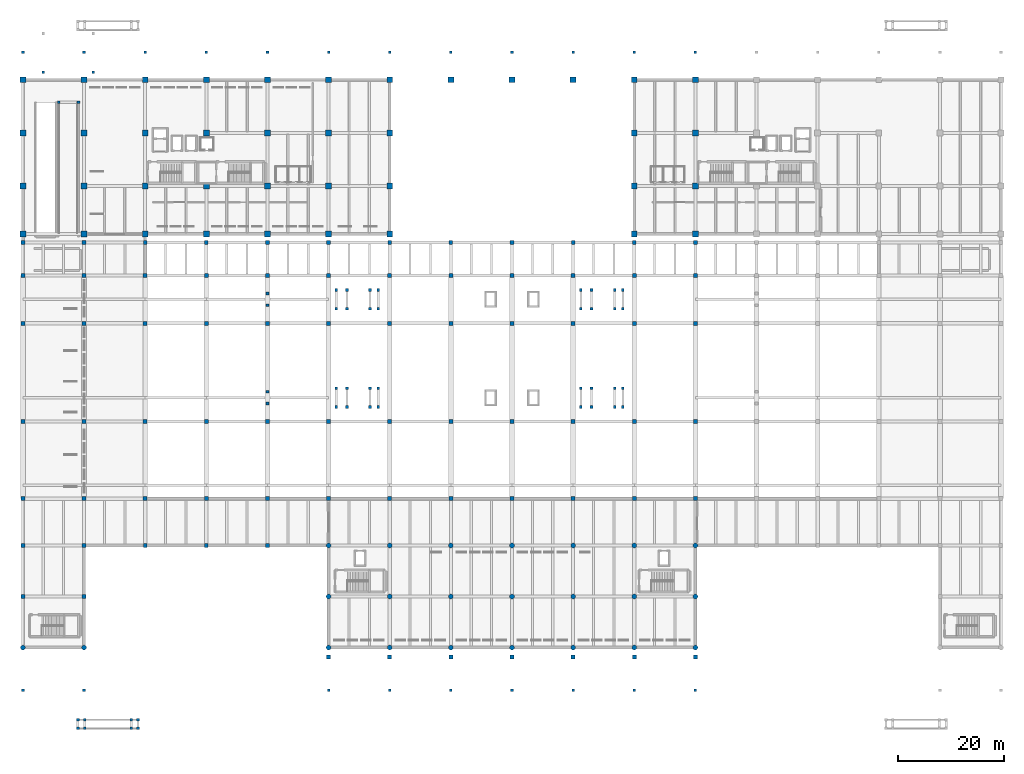
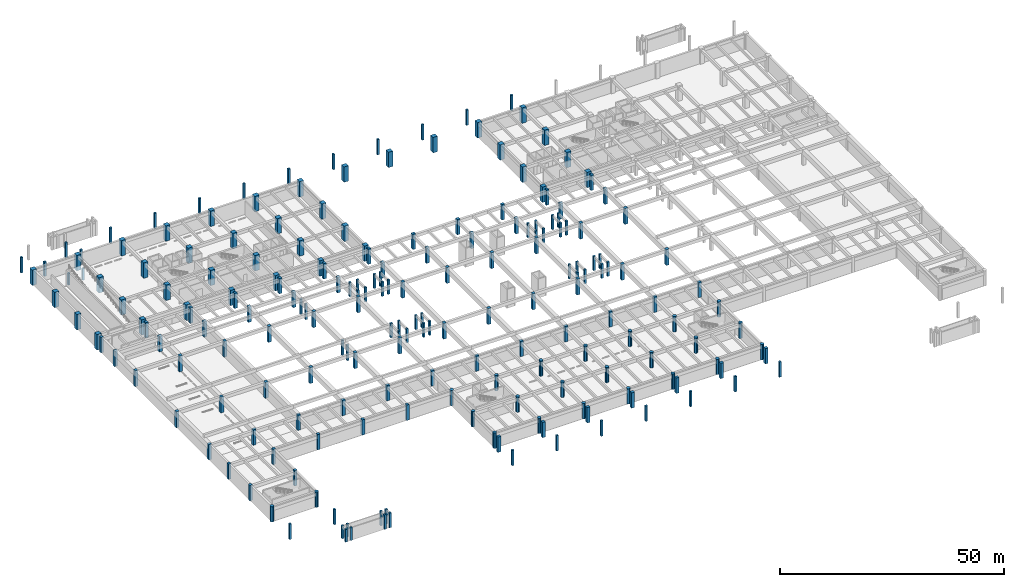
# One storey, part 1 of 20: 205 columns.
"""IFC4 building model written with IfcOpenShell, lengths in metres."""

from ifc_helpers import new_model, si_unit, direction, frame, origin, origin_2d, place, context, subcontext, project, spatial, rectangle, circle, extrude, material, material_profile, profile_set, type_object, element, save


model = new_model("IFC4")

# Units and contexts
model_context = context("Model", 3, precision=1e-05, world=origin(), true_north=direction((0.0, 1.0)))
body_context = subcontext(model_context, "Body", "Model", "MODEL_VIEW")
ifc_project = project(units=[si_unit("LENGTHUNIT", "METRE"), si_unit("AREAUNIT", "SQUARE_METRE"), si_unit("VOLUMEUNIT", "CUBIC_METRE"), si_unit("PLANEANGLEUNIT", "RADIAN"), si_unit("MASSUNIT", "GRAM", prefix="KILO")], contexts=[model_context])

# Site, building, storey
site_placement = place(None, origin())
site = spatial("IfcSite", under=ifc_project, at=site_placement, CompositionType="ELEMENT")
building_placement = place(site_placement, origin())
building = spatial("IfcBuilding", under=site, at=building_placement, Name="Ologun Quay Terminus", CompositionType="ELEMENT")
storey_placement = place(building_placement, frame((0.0, 0.0, -4.199951171875)))
storey = spatial("IfcBuildingStorey", under=building, at=storey_placement, Name="B01", CompositionType="ELEMENT", Elevation=-4.199951171875)

# Columns
ifc_material_1 = material(Name="Concrete C40/50", Category="concrete")
ifc_material_profile_1 = material_profile(ifc_material_1, rectangle(XDim=0.5, YDim=0.5, at=origin_2d()), Name="RC 500x500")
ifc_profile_set_1 = profile_set([ifc_material_profile_1], Name="Concrete C40/50")
column_type_1 = type_object("IfcColumnType", Name="Canopy Edge Column 500x500", PredefinedType="COLUMN", material=ifc_profile_set_1)
for number, where, z_axis, x_axis, name in (
    (1, (0.0, 0.0, 0.0), (0.0, 0.0, 1.0), (1.0, 0.0, 0.0), "C8 Column 1/A B01"),
    (2, (0.0, 120.0, 0.0), (0.0, 0.0, 1.0), (1.0, 0.0, 0.0), "C8 Column 1/L B01"),
    (3, (11.5, 0.0, 0.0), (0.0, 0.0, 1.0), (1.0, 0.0, 0.0), "C8 Column 2/A B01"),
    (4, (11.5, 120.0, 0.0), (0.0, 0.0, 1.0), (1.0, 0.0, 0.0), "C8 Column 2/L B01"),
    (5, (23.0, 120.0, 0.0), (0.0, 0.0, 1.0), (1.0, 0.0, 0.0), "C8 Column 3/L B01"),
    (6, (34.5, 120.0, 0.0), (0.0, 0.0, 1.0), (1.0, 0.0, 0.0), "C8 Column 4/L B01"),
    (7, (46.0, 120.0, 0.0), (0.0, 0.0, 1.0), (1.0, 0.0, 0.0), "C8 Column 5/L B01"),
    (8, (57.5, 0.0, 0.0), (0.0, 0.0, 1.0), (1.0, 0.0, 0.0), "C8 Column 6/A B01"),
    (9, (57.5, 120.0, 0.0), (0.0, 0.0, 1.0), (1.0, 0.0, 0.0), "C8 Column 6/L B01"),
    (10, (69.0, 0.0, 0.0), (0.0, 0.0, 1.0), (1.0, 0.0, 0.0), "C8 Column 7/A B01"),
    (11, (69.0, 120.0, 0.0), (0.0, 0.0, 1.0), (1.0, 0.0, 0.0), "C8 Column 7/L B01"),
    (12, (80.5, 0.0, 0.0), (0.0, 0.0, 1.0), (1.0, 0.0, 0.0), "C8 Column 8/A B01"),
    (13, (80.5, 120.0, 0.0), (0.0, 0.0, 1.0), (1.0, 0.0, 0.0), "C8 Column 8/L B01"),
    (14, (92.0, 0.0, 0.0), (0.0, 0.0, 1.0), (1.0, 0.0, 0.0), "C8 Column 9/A B01"),
    (15, (92.0, 120.0, 0.0), (0.0, 0.0, 1.0), (1.0, 0.0, 0.0), "C8 Column 9/L B01"),
    (16, (103.5, 0.0, 0.0), (0.0, 0.0, 1.0), (1.0, 0.0, 0.0), "C8 Column 10/A B01"),
    (17, (103.5, 120.0, 0.0), (0.0, 0.0, 1.0), (1.0, 0.0, 0.0), "C8 Column 10/L B01"),
    (18, (115.0, 0.0, 0.0), (0.0, 0.0, 1.0), (1.0, 0.0, 0.0), "C8 Column 11/A B01"),
    (19, (115.0, 120.0, 0.0), (0.0, 0.0, 1.0), (1.0, 0.0, 0.0), "C8 Column 11/L B01"),
    (20, (126.5, 0.0, 0.0), (0.0, 0.0, 1.0), (1.0, 0.0, 0.0), "C8 Column 12/A B01"),
    (21, (126.5, 120.0, 0.0), (0.0, 0.0, 1.0), (1.0, 0.0, 0.0), "C8 Column 12/L B01"),
):
    element("IfcColumn", number, at=place(storey_placement, frame(where, z_axis=z_axis, x_axis=x_axis)), inside=storey, type_object=column_type_1, Name=name, PredefinedType="COLUMN", context=body_context, shape_type="SweptSolid", body=[
        extrude(rectangle(XDim=0.5, YDim=0.5, at=origin_2d()), origin(), (0.0, 0.0, 1.0), 4.199951171875),
    ])
for number, where, z_axis, x_axis, name in (
    (22, (10.35009765625, -7.199951171875, 0.0), (0.0, 0.0, 1.0), (1.0, 0.0, 0.0), "C8 Ramp Landing Column 5WS B01"),
    (23, (10.35009765625, -5.60009765625, 0.0), (0.0, 0.0, 1.0), (1.0, 0.0, 0.0), "C8 Ramp Landing Column 5WN B01"),
    (24, (11.64990234375, -7.199951171875, 0.0), (0.0, 0.0, 1.0), (1.0, 0.0, 0.0), "C8 Ramp Landing Column 5ES B01"),
    (25, (11.64990234375, -5.60009765625, 0.0), (0.0, 0.0, 1.0), (1.0, 0.0, 0.0), "C8 Ramp Landing Column 5EN B01"),
):
    element("IfcColumn", number, at=place(storey_placement, frame(where, z_axis=z_axis, x_axis=x_axis)), inside=storey, type_object=column_type_1, Name=name, PredefinedType="COLUMN", context=body_context, shape_type="SweptSolid", body=[
        extrude(rectangle(XDim=0.5, YDim=0.5, at=origin_2d()), origin(), (0.0, 0.0, 1.0), 3.47998046875),
    ])
for number, where, z_axis, x_axis, name in (
    (26, (20.35009765625, -7.199951171875, 0.0), (0.0, 0.0, 1.0), (1.0, 0.0, 0.0), "C8 Ramp Landing Column 6WS B01"),
    (27, (20.35009765625, -5.60009765625, 0.0), (0.0, 0.0, 1.0), (1.0, 0.0, 0.0), "C8 Ramp Landing Column 6WN B01"),
    (28, (21.64990234375, -7.199951171875, 0.0), (0.0, 0.0, 1.0), (1.0, 0.0, 0.0), "C8 Ramp Landing Column 6ES B01"),
    (29, (21.64990234375, -5.60009765625, 0.0), (0.0, 0.0, 1.0), (1.0, 0.0, 0.0), "C8 Ramp Landing Column 6EN B01"),
):
    element("IfcColumn", number, at=place(storey_placement, frame(where, z_axis=z_axis, x_axis=x_axis)), inside=storey, type_object=column_type_1, Name=name, PredefinedType="COLUMN", context=body_context, shape_type="SweptSolid", body=[
        extrude(rectangle(XDim=0.5, YDim=0.5, at=origin_2d()), origin(), (0.0, 0.0, 1.0), 3.97998046875),
    ])
for number, where, z_axis, x_axis, name in (
    (30, (3.800048828125, 116.199951171875, 0.0), (0.0, 0.0, 1.0), (1.0, 0.0, 0.0), "C8 Driveway Apron Column 11 B01"),
    (31, (13.199951171875, 116.199951171875, 0.0), (0.0, 0.0, 1.0), (1.0, 0.0, 0.0), "C8 Driveway Apron Column 21 B01"),
):
    element("IfcColumn", number, at=place(storey_placement, frame(where, z_axis=z_axis, x_axis=x_axis)), inside=storey, type_object=column_type_1, Name=name, PredefinedType="COLUMN", context=body_context, shape_type="SweptSolid", body=[
        extrude(rectangle(XDim=0.5, YDim=0.5, at=origin_2d()), origin(), (0.0, 0.0, 1.0), 3.93994140625),
    ])
for number, where, z_axis, x_axis, name in (
    (32, (6.75, 110.60009765625, 0.0), (0.0, 0.0, 1.0), (1.0, 0.0, 0.0), "C8 Ramp Header Upper Column 1"),
    (33, (10.449951171875, 110.60009765625, 0.0), (0.0, 0.0, 1.0), (1.0, 0.0, 0.0), "C8 Ramp Header Upper Column 2"),
):
    element("IfcColumn", number, at=place(storey_placement, frame(where, z_axis=z_axis, x_axis=x_axis)), inside=storey, type_object=column_type_1, Name=name, PredefinedType="COLUMN", context=body_context, shape_type="SweptSolid", body=[
        extrude(rectangle(XDim=0.5, YDim=0.5, at=origin_2d()), origin(), (0.0, 0.0, 1.0), 3.179931640625),
    ])
for number, where, z_axis, x_axis, name in (
    (34, (58.949951171875, 53.25, 0.0), (0.0, 0.0, 1.0), (1.0, 0.0, 0.0), "C8 Platform Stair Substructure Column ST-P1-LS B01"),
    (35, (58.949951171875, 56.75, 0.0), (0.0, 0.0, 1.0), (1.0, 0.0, 0.0), "C8 Platform Stair Substructure Column ST-P1-LN B01"),
    (36, (60.949951171875, 53.25, 0.0), (0.0, 0.0, 1.0), (1.0, 0.0, 0.0), "C8 Platform Stair Substructure Column ST-P1-AS B01"),
    (37, (60.949951171875, 56.75, 0.0), (0.0, 0.0, 1.0), (1.0, 0.0, 0.0), "C8 Platform Stair Substructure Column ST-P1-AN B01"),
    (38, (65.300048828125, 53.25, 0.0), (0.0, 0.0, 1.0), (1.0, 0.0, 0.0), "C8 Platform Stair Substructure Column ST-P1-BS B01"),
    (39, (65.300048828125, 56.75, 0.0), (0.0, 0.0, 1.0), (1.0, 0.0, 0.0), "C8 Platform Stair Substructure Column ST-P1-BN B01"),
    (40, (66.85009765625, 53.25, 0.0), (0.0, 0.0, 1.0), (1.0, 0.0, 0.0), "C8 Platform Stair Substructure Column ST-P1-CS B01"),
    (41, (66.85009765625, 56.75, 0.0), (0.0, 0.0, 1.0), (1.0, 0.0, 0.0), "C8 Platform Stair Substructure Column ST-P1-CN B01"),
    (42, (104.949951171875, 53.25, 0.0), (0.0, 0.0, 1.0), (1.0, 0.0, 0.0), "C8 Platform Stair Substructure Column ST-P2-LS B01"),
    (43, (104.949951171875, 56.75, 0.0), (0.0, 0.0, 1.0), (1.0, 0.0, 0.0), "C8 Platform Stair Substructure Column ST-P2-LN B01"),
    (44, (106.949951171875, 53.25, 0.0), (0.0, 0.0, 1.0), (1.0, 0.0, 0.0), "C8 Platform Stair Substructure Column ST-P2-AS B01"),
    (45, (106.949951171875, 56.75, 0.0), (0.0, 0.0, 1.0), (1.0, 0.0, 0.0), "C8 Platform Stair Substructure Column ST-P2-AN B01"),
    (46, (111.300048828125, 53.25, 0.0), (0.0, 0.0, 1.0), (1.0, 0.0, 0.0), "C8 Platform Stair Substructure Column ST-P2-BS B01"),
    (47, (111.300048828125, 56.75, 0.0), (0.0, 0.0, 1.0), (1.0, 0.0, 0.0), "C8 Platform Stair Substructure Column ST-P2-BN B01"),
    (48, (112.85009765625, 53.25, 0.0), (0.0, 0.0, 1.0), (1.0, 0.0, 0.0), "C8 Platform Stair Substructure Column ST-P2-CS B01"),
    (49, (112.85009765625, 56.75, 0.0), (0.0, 0.0, 1.0), (1.0, 0.0, 0.0), "C8 Platform Stair Substructure Column ST-P2-CN B01"),
    (50, (58.949951171875, 71.75, 0.0), (0.0, 0.0, 1.0), (1.0, 0.0, 0.0), "C8 Platform Stair Substructure Column ST-P3-LS B01"),
    (51, (58.949951171875, 75.25, 0.0), (0.0, 0.0, 1.0), (1.0, 0.0, 0.0), "C8 Platform Stair Substructure Column ST-P3-LN B01"),
    (52, (60.949951171875, 71.75, 0.0), (0.0, 0.0, 1.0), (1.0, 0.0, 0.0), "C8 Platform Stair Substructure Column ST-P3-AS B01"),
    (53, (60.949951171875, 75.25, 0.0), (0.0, 0.0, 1.0), (1.0, 0.0, 0.0), "C8 Platform Stair Substructure Column ST-P3-AN B01"),
    (54, (65.300048828125, 71.75, 0.0), (0.0, 0.0, 1.0), (1.0, 0.0, 0.0), "C8 Platform Stair Substructure Column ST-P3-BS B01"),
    (55, (65.300048828125, 75.25, 0.0), (0.0, 0.0, 1.0), (1.0, 0.0, 0.0), "C8 Platform Stair Substructure Column ST-P3-BN B01"),
    (56, (66.85009765625, 71.75, 0.0), (0.0, 0.0, 1.0), (1.0, 0.0, 0.0), "C8 Platform Stair Substructure Column ST-P3-CS B01"),
    (57, (66.85009765625, 75.25, 0.0), (0.0, 0.0, 1.0), (1.0, 0.0, 0.0), "C8 Platform Stair Substructure Column ST-P3-CN B01"),
    (58, (104.949951171875, 71.75, 0.0), (0.0, 0.0, 1.0), (1.0, 0.0, 0.0), "C8 Platform Stair Substructure Column ST-P4-LS B01"),
    (59, (104.949951171875, 75.25, 0.0), (0.0, 0.0, 1.0), (1.0, 0.0, 0.0), "C8 Platform Stair Substructure Column ST-P4-LN B01"),
    (60, (106.949951171875, 71.75, 0.0), (0.0, 0.0, 1.0), (1.0, 0.0, 0.0), "C8 Platform Stair Substructure Column ST-P4-AS B01"),
    (61, (106.949951171875, 75.25, 0.0), (0.0, 0.0, 1.0), (1.0, 0.0, 0.0), "C8 Platform Stair Substructure Column ST-P4-AN B01"),
    (62, (111.300048828125, 71.75, 0.0), (0.0, 0.0, 1.0), (1.0, 0.0, 0.0), "C8 Platform Stair Substructure Column ST-P4-BS B01"),
    (63, (111.300048828125, 75.25, 0.0), (0.0, 0.0, 1.0), (1.0, 0.0, 0.0), "C8 Platform Stair Substructure Column ST-P4-BN B01"),
    (64, (112.85009765625, 71.75, 0.0), (0.0, 0.0, 1.0), (1.0, 0.0, 0.0), "C8 Platform Stair Substructure Column ST-P4-CS B01"),
    (65, (112.85009765625, 75.25, 0.0), (0.0, 0.0, 1.0), (1.0, 0.0, 0.0), "C8 Platform Stair Substructure Column ST-P4-CN B01"),
):
    element("IfcColumn", number, at=place(storey_placement, frame(where, z_axis=z_axis, x_axis=x_axis)), inside=storey, type_object=column_type_1, Name=name, PredefinedType="COLUMN", context=body_context, shape_type="SweptSolid", body=[
        extrude(rectangle(XDim=0.5, YDim=0.5, at=origin_2d()), origin(), (0.0, 0.0, 1.0), 3.8798828125),
    ])
for number, where, z_axis, x_axis, name in (
    (66, (46.0, 53.89990234375, 0.0), (0.0, 0.0, 1.0), (1.0, 0.0, 0.0), "C8 Concourse Trimmer Column 5-1 B01"),
    (67, (46.0, 56.10009765625, 0.0), (0.0, 0.0, 1.0), (1.0, 0.0, 0.0), "C8 Concourse Trimmer Column 5-2 B01"),
    (68, (46.0, 72.39990234375, 0.0), (0.0, 0.0, 1.0), (1.0, 0.0, 0.0), "C8 Concourse Trimmer Column 5-3 B01"),
    (69, (46.0, 74.60009765625, 0.0), (0.0, 0.0, 1.0), (1.0, 0.0, 0.0), "C8 Concourse Trimmer Column 5-4 B01"),
):
    element("IfcColumn", number, at=place(storey_placement, frame(where, z_axis=z_axis, x_axis=x_axis)), inside=storey, type_object=column_type_1, Name=name, PredefinedType="COLUMN", context=body_context, shape_type="SweptSolid", body=[
        extrude(rectangle(XDim=0.5, YDim=0.5, at=origin_2d()), origin(), (0.0, 0.0, 1.0), 4.199951171875),
    ])
ifc_material_2 = material(Name="Concrete C45/55", Category="concrete")
ifc_material_profile_2 = material_profile(ifc_material_2, rectangle(XDim=1.10009765625, YDim=1.10009765625, at=origin_2d()), Name="RC 1100x1100")
ifc_profile_set_2 = profile_set([ifc_material_profile_2], Name="Concrete C45/55")
column_type_2 = type_object("IfcColumnType", Name="Courtyard Wing Lower Column 1100x1100", PredefinedType="COLUMN", material=ifc_profile_set_2)
for number, where, z_axis, x_axis, name in (
    (70, (0.0, 85.800048828125, 0.0), (0.0, 0.0, 1.0), (1.0, 0.0, 0.0), "C1 Column 1/G2 B01"),
    (71, (0.0, 94.800048828125, 0.0), (0.0, 0.0, 1.0), (1.0, 0.0, 0.0), "C1 Column 1/H B01"),
    (72, (0.0, 104.800048828125, 0.0), (0.0, 0.0, 1.0), (1.0, 0.0, 0.0), "C1 Column 1/J B01"),
    (73, (0.0, 114.800048828125, 0.0), (0.0, 0.0, 1.0), (1.0, 0.0, 0.0), "C1 Column 1/K B01"),
    (74, (11.5, 85.800048828125, 0.0), (0.0, 0.0, 1.0), (1.0, 0.0, 0.0), "C1 Column 2/G2 B01"),
    (75, (11.5, 94.800048828125, 0.0), (0.0, 0.0, 1.0), (1.0, 0.0, 0.0), "C1 Column 2/H B01"),
    (76, (11.5, 104.800048828125, 0.0), (0.0, 0.0, 1.0), (1.0, 0.0, 0.0), "C1 Column 2/J B01"),
    (77, (11.5, 114.800048828125, 0.0), (0.0, 0.0, 1.0), (1.0, 0.0, 0.0), "C1 Column 2/K B01"),
    (78, (23.0, 85.800048828125, 0.0), (0.0, 0.0, 1.0), (1.0, 0.0, 0.0), "C1 Column 3/G2 B01"),
    (79, (23.0, 94.800048828125, 0.0), (0.0, 0.0, 1.0), (1.0, 0.0, 0.0), "C1 Column 3/H B01"),
    (80, (23.0, 104.800048828125, 0.0), (0.0, 0.0, 1.0), (1.0, 0.0, 0.0), "C1 Column 3/J B01"),
    (81, (23.0, 114.800048828125, 0.0), (0.0, 0.0, 1.0), (1.0, 0.0, 0.0), "C1 Column 3/K B01"),
    (82, (34.5, 85.800048828125, 0.0), (0.0, 0.0, 1.0), (1.0, 0.0, 0.0), "C1 Column 4/G2 B01"),
    (83, (34.5, 94.800048828125, 0.0), (0.0, 0.0, 1.0), (1.0, 0.0, 0.0), "C1 Column 4/H B01"),
    (84, (34.5, 104.800048828125, 0.0), (0.0, 0.0, 1.0), (1.0, 0.0, 0.0), "C1 Column 4/J B01"),
    (85, (34.5, 114.800048828125, 0.0), (0.0, 0.0, 1.0), (1.0, 0.0, 0.0), "C1 Column 4/K B01"),
    (86, (46.0, 85.800048828125, 0.0), (0.0, 0.0, 1.0), (1.0, 0.0, 0.0), "C1 Column 5/G2 B01"),
    (87, (46.0, 94.800048828125, 0.0), (0.0, 0.0, 1.0), (1.0, 0.0, 0.0), "C1 Column 5/H B01"),
    (88, (46.0, 104.800048828125, 0.0), (0.0, 0.0, 1.0), (1.0, 0.0, 0.0), "C1 Column 5/J B01"),
    (89, (46.0, 114.800048828125, 0.0), (0.0, 0.0, 1.0), (1.0, 0.0, 0.0), "C1 Column 5/K B01"),
    (90, (57.5, 85.800048828125, 0.0), (0.0, 0.0, 1.0), (1.0, 0.0, 0.0), "C1 Column 6/G2 B01"),
    (91, (57.5, 94.800048828125, 0.0), (0.0, 0.0, 1.0), (1.0, 0.0, 0.0), "C1 Column 6/H B01"),
    (92, (57.5, 104.800048828125, 0.0), (0.0, 0.0, 1.0), (1.0, 0.0, 0.0), "C1 Column 6/J B01"),
    (93, (57.5, 114.800048828125, 0.0), (0.0, 0.0, 1.0), (1.0, 0.0, 0.0), "C1 Column 6/K B01"),
    (94, (69.0, 85.800048828125, 0.0), (0.0, 0.0, 1.0), (1.0, 0.0, 0.0), "C1 Column 7/G2 B01"),
    (95, (69.0, 94.800048828125, 0.0), (0.0, 0.0, 1.0), (1.0, 0.0, 0.0), "C1 Column 7/H B01"),
    (96, (69.0, 104.800048828125, 0.0), (0.0, 0.0, 1.0), (1.0, 0.0, 0.0), "C1 Column 7/J B01"),
    (97, (69.0, 114.800048828125, 0.0), (0.0, 0.0, 1.0), (1.0, 0.0, 0.0), "C1 Column 7/K B01"),
    (98, (115.0, 85.800048828125, 0.0), (0.0, 0.0, 1.0), (1.0, 0.0, 0.0), "C1 Column 11/G2 B01"),
    (99, (115.0, 94.800048828125, 0.0), (0.0, 0.0, 1.0), (1.0, 0.0, 0.0), "C1 Column 11/H B01"),
    (100, (115.0, 104.800048828125, 0.0), (0.0, 0.0, 1.0), (1.0, 0.0, 0.0), "C1 Column 11/J B01"),
    (101, (115.0, 114.800048828125, 0.0), (0.0, 0.0, 1.0), (1.0, 0.0, 0.0), "C1 Column 11/K B01"),
    (102, (126.5, 85.800048828125, 0.0), (0.0, 0.0, 1.0), (1.0, 0.0, 0.0), "C1 Column 12/G2 B01"),
    (103, (126.5, 94.800048828125, 0.0), (0.0, 0.0, 1.0), (1.0, 0.0, 0.0), "C1 Column 12/H B01"),
    (104, (126.5, 104.800048828125, 0.0), (0.0, 0.0, 1.0), (1.0, 0.0, 0.0), "C1 Column 12/J B01"),
    (105, (126.5, 114.800048828125, 0.0), (0.0, 0.0, 1.0), (1.0, 0.0, 0.0), "C1 Column 12/K B01"),
    (106, (80.5, 114.800048828125, 0.0), (0.0, 0.0, 1.0), (1.0, 0.0, 0.0), "C1 Colonnade Substructure Column 8/K B01"),
    (107, (92.0, 114.800048828125, 0.0), (0.0, 0.0, 1.0), (1.0, 0.0, 0.0), "C1 Colonnade Substructure Column 9/K B01"),
    (108, (103.5, 114.800048828125, 0.0), (0.0, 0.0, 1.0), (1.0, 0.0, 0.0), "C1 Colonnade Substructure Column 10/K B01"),
):
    element("IfcColumn", number, at=place(storey_placement, frame(where, z_axis=z_axis, x_axis=x_axis)), inside=storey, type_object=column_type_2, Name=name, PredefinedType="COLUMN", context=body_context, shape_type="SweptSolid", body=[
        extrude(rectangle(XDim=1.10009765625, YDim=1.10009765625, at=origin_2d()), origin(), (0.0, 0.0, 1.0), 4.199951171875),
    ])
ifc_material_3 = material(Name="Concrete C45/55", Category="concrete")
ifc_material_profile_3 = material_profile(ifc_material_3, rectangle(XDim=0.75, YDim=0.75, at=origin_2d()), Name="RC 750x750")
ifc_profile_set_3 = profile_set([ifc_material_profile_3], Name="Concrete C45/55")
column_type_3 = type_object("IfcColumnType", Name="Station Arch Pier Stem 750x750", PredefinedType="COLUMN", material=ifc_profile_set_3)
for number, where, z_axis, x_axis, name in (
    (109, (0.0, 36.0, 0.0), (0.0, 0.0, 1.0), (1.0, 0.0, 0.0), "C5 Column 1/E B01"),
    (110, (0.0, 78.0, 0.0), (0.0, 0.0, 1.0), (1.0, 0.0, 0.0), "C5 Column 1/F B01"),
    (111, (11.5, 36.0, 0.0), (0.0, 0.0, 1.0), (1.0, 0.0, 0.0), "C5 Column 2/E B01"),
    (112, (11.5, 78.0, 0.0), (0.0, 0.0, 1.0), (1.0, 0.0, 0.0), "C5 Column 2/F B01"),
    (113, (23.0, 36.0, 0.0), (0.0, 0.0, 1.0), (1.0, 0.0, 0.0), "C5 Column 3/E B01"),
    (114, (23.0, 78.0, 0.0), (0.0, 0.0, 1.0), (1.0, 0.0, 0.0), "C5 Column 3/F B01"),
    (115, (34.5, 36.0, 0.0), (0.0, 0.0, 1.0), (1.0, 0.0, 0.0), "C5 Column 4/E B01"),
    (116, (34.5, 78.0, 0.0), (0.0, 0.0, 1.0), (1.0, 0.0, 0.0), "C5 Column 4/F B01"),
    (117, (46.0, 36.0, 0.0), (0.0, 0.0, 1.0), (1.0, 0.0, 0.0), "C5 Column 5/E B01"),
    (118, (46.0, 78.0, 0.0), (0.0, 0.0, 1.0), (1.0, 0.0, 0.0), "C5 Column 5/F B01"),
    (119, (57.5, 36.0, 0.0), (0.0, 0.0, 1.0), (1.0, 0.0, 0.0), "C5 Column 6/E B01"),
    (120, (57.5, 78.0, 0.0), (0.0, 0.0, 1.0), (1.0, 0.0, 0.0), "C5 Column 6/F B01"),
    (121, (69.0, 36.0, 0.0), (0.0, 0.0, 1.0), (1.0, 0.0, 0.0), "C5 Column 7/E B01"),
    (122, (69.0, 78.0, 0.0), (0.0, 0.0, 1.0), (1.0, 0.0, 0.0), "C5 Column 7/F B01"),
    (123, (80.5, 36.0, 0.0), (0.0, 0.0, 1.0), (1.0, 0.0, 0.0), "C5 Column 8/E B01"),
    (124, (80.5, 78.0, 0.0), (0.0, 0.0, 1.0), (1.0, 0.0, 0.0), "C5 Column 8/F B01"),
    (125, (92.0, 36.0, 0.0), (0.0, 0.0, 1.0), (1.0, 0.0, 0.0), "C5 Column 9/E B01"),
    (126, (92.0, 78.0, 0.0), (0.0, 0.0, 1.0), (1.0, 0.0, 0.0), "C5 Column 9/F B01"),
    (127, (103.5, 36.0, 0.0), (0.0, 0.0, 1.0), (1.0, 0.0, 0.0), "C5 Column 10/E B01"),
    (128, (103.5, 78.0, 0.0), (0.0, 0.0, 1.0), (1.0, 0.0, 0.0), "C5 Column 10/F B01"),
    (129, (115.0, 36.0, 0.0), (0.0, 0.0, 1.0), (1.0, 0.0, 0.0), "C5 Column 11/E B01"),
    (130, (115.0, 78.0, 0.0), (0.0, 0.0, 1.0), (1.0, 0.0, 0.0), "C5 Column 11/F B01"),
    (131, (126.5, 36.0, 0.0), (0.0, 0.0, 1.0), (1.0, 0.0, 0.0), "C5 Column 12/E B01"),
    (132, (126.5, 78.0, 0.0), (0.0, 0.0, 1.0), (1.0, 0.0, 0.0), "C5 Column 12/F B01"),
):
    element("IfcColumn", number, at=place(storey_placement, frame(where, z_axis=z_axis, x_axis=x_axis)), inside=storey, type_object=column_type_3, Name=name, PredefinedType="COLUMN", context=body_context, shape_type="SweptSolid", body=[
        extrude(rectangle(XDim=0.75, YDim=0.75, at=origin_2d()), origin(), (0.0, 0.0, 1.0), 4.199951171875),
    ])
for number, where, z_axis, x_axis, name in (
    (133, (0.0, 50.5, 0.0), (0.0, 0.0, 1.0), (1.0, 0.0, 0.0), "C5 Track Substructure Column 1-Y50 B01"),
    (134, (0.0, 69.0, 0.0), (0.0, 0.0, 1.0), (1.0, 0.0, 0.0), "C5 Track Substructure Column 1-Y69 B01"),
    (135, (11.5, 50.5, 0.0), (0.0, 0.0, 1.0), (1.0, 0.0, 0.0), "C5 Track Substructure Column 2-Y50 B01"),
    (136, (11.5, 69.0, 0.0), (0.0, 0.0, 1.0), (1.0, 0.0, 0.0), "C5 Track Substructure Column 2-Y69 B01"),
    (137, (23.0, 50.5, 0.0), (0.0, 0.0, 1.0), (1.0, 0.0, 0.0), "C5 Track Substructure Column 3-Y50 B01"),
    (138, (23.0, 69.0, 0.0), (0.0, 0.0, 1.0), (1.0, 0.0, 0.0), "C5 Track Substructure Column 3-Y69 B01"),
    (139, (34.5, 50.5, 0.0), (0.0, 0.0, 1.0), (1.0, 0.0, 0.0), "C5 Track Substructure Column 4-Y50 B01"),
    (140, (34.5, 69.0, 0.0), (0.0, 0.0, 1.0), (1.0, 0.0, 0.0), "C5 Track Substructure Column 4-Y69 B01"),
    (141, (46.0, 50.5, 0.0), (0.0, 0.0, 1.0), (1.0, 0.0, 0.0), "C5 Track Substructure Column 5-Y50 B01"),
    (142, (46.0, 69.0, 0.0), (0.0, 0.0, 1.0), (1.0, 0.0, 0.0), "C5 Track Substructure Column 5-Y69 B01"),
    (143, (57.5, 50.5, 0.0), (0.0, 0.0, 1.0), (1.0, 0.0, 0.0), "C5 Track Substructure Column 6-Y50 B01"),
    (144, (57.5, 69.0, 0.0), (0.0, 0.0, 1.0), (1.0, 0.0, 0.0), "C5 Track Substructure Column 6-Y69 B01"),
    (145, (69.0, 50.5, 0.0), (0.0, 0.0, 1.0), (1.0, 0.0, 0.0), "C5 Track Substructure Column 7-Y50 B01"),
    (146, (69.0, 69.0, 0.0), (0.0, 0.0, 1.0), (1.0, 0.0, 0.0), "C5 Track Substructure Column 7-Y69 B01"),
    (147, (80.5, 50.5, 0.0), (0.0, 0.0, 1.0), (1.0, 0.0, 0.0), "C5 Track Substructure Column 8-Y50 B01"),
    (148, (80.5, 69.0, 0.0), (0.0, 0.0, 1.0), (1.0, 0.0, 0.0), "C5 Track Substructure Column 8-Y69 B01"),
    (149, (92.0, 50.5, 0.0), (0.0, 0.0, 1.0), (1.0, 0.0, 0.0), "C5 Track Substructure Column 9-Y50 B01"),
    (150, (92.0, 69.0, 0.0), (0.0, 0.0, 1.0), (1.0, 0.0, 0.0), "C5 Track Substructure Column 9-Y69 B01"),
    (151, (103.5, 50.5, 0.0), (0.0, 0.0, 1.0), (1.0, 0.0, 0.0), "C5 Track Substructure Column 10-Y50 B01"),
    (152, (103.5, 69.0, 0.0), (0.0, 0.0, 1.0), (1.0, 0.0, 0.0), "C5 Track Substructure Column 10-Y69 B01"),
    (153, (115.0, 50.5, 0.0), (0.0, 0.0, 1.0), (1.0, 0.0, 0.0), "C5 Track Substructure Column 11-Y50 B01"),
    (154, (115.0, 69.0, 0.0), (0.0, 0.0, 1.0), (1.0, 0.0, 0.0), "C5 Track Substructure Column 11-Y69 B01"),
    (155, (126.5, 50.5, 0.0), (0.0, 0.0, 1.0), (1.0, 0.0, 0.0), "C5 Track Substructure Column 12-Y50 B01"),
    (156, (126.5, 69.0, 0.0), (0.0, 0.0, 1.0), (1.0, 0.0, 0.0), "C5 Track Substructure Column 12-Y69 B01"),
):
    element("IfcColumn", number, at=place(storey_placement, frame(where, z_axis=z_axis, x_axis=x_axis)), inside=storey, type_object=column_type_3, Name=name, PredefinedType="COLUMN", context=body_context, shape_type="SweptSolid", body=[
        extrude(rectangle(XDim=0.75, YDim=0.75, at=origin_2d()), origin(), (0.0, 0.0, 1.0), 4.349853515625),
    ])
for number, where, z_axis, x_axis, name in (
    (157, (57.5, 6.199951171875, 0.0), (0.0, 0.0, 1.0), (1.0, 0.0, 0.0), "C5 Portal Rib Substructure Pier 6 B01"),
    (158, (69.0, 6.199951171875, 0.0), (0.0, 0.0, 1.0), (1.0, 0.0, 0.0), "C5 Portal Rib Substructure Pier 7 B01"),
    (159, (80.5, 6.199951171875, 0.0), (0.0, 0.0, 1.0), (1.0, 0.0, 0.0), "C5 Portal Rib Substructure Pier 8 B01"),
    (160, (92.0, 6.199951171875, 0.0), (0.0, 0.0, 1.0), (1.0, 0.0, 0.0), "C5 Portal Rib Substructure Pier 9 B01"),
    (161, (103.5, 6.199951171875, 0.0), (0.0, 0.0, 1.0), (1.0, 0.0, 0.0), "C5 Portal Rib Substructure Pier 10 B01"),
    (162, (115.0, 6.199951171875, 0.0), (0.0, 0.0, 1.0), (1.0, 0.0, 0.0), "C5 Portal Rib Substructure Pier 11 B01"),
    (163, (126.5, 6.199951171875, 0.0), (0.0, 0.0, 1.0), (1.0, 0.0, 0.0), "C5 Portal Rib Substructure Pier 12 B01"),
):
    element("IfcColumn", number, at=place(storey_placement, frame(where, z_axis=z_axis, x_axis=x_axis)), inside=storey, type_object=column_type_3, Name=name, PredefinedType="COLUMN", context=body_context, shape_type="SweptSolid", body=[
        extrude(rectangle(XDim=0.75, YDim=0.75, at=origin_2d()), origin(), (0.0, 0.0, 1.0), 4.199951171875),
    ])
ifc_material_4 = material(Name="Concrete C40/50", Category="concrete")
ifc_material_profile_4 = material_profile(ifc_material_4, rectangle(XDim=0.699951171875, YDim=0.699951171875, at=origin_2d()), Name="RC 700x700")
ifc_profile_set_4 = profile_set([ifc_material_profile_4], Name="Concrete C40/50")
column_type_4 = type_object("IfcColumnType", Name="Station Concourse Column 700x700", PredefinedType="COLUMN", material=ifc_profile_set_4)
for number, where, z_axis, x_axis, name in (
    (164, (0.0, 17.60009765625, 0.0), (0.0, 0.0, 1.0), (1.0, 0.0, 0.0), "C6 Column 1/C B01"),
    (165, (0.0, 27.199951171875, 0.0), (0.0, 0.0, 1.0), (1.0, 0.0, 0.0), "C6 Column 1/D B01"),
    (166, (0.0, 84.199951171875, 0.0), (0.0, 0.0, 1.0), (1.0, 0.0, 0.0), "C6 Column 1/G1 B01"),
    (167, (11.5, 17.60009765625, 0.0), (0.0, 0.0, 1.0), (1.0, 0.0, 0.0), "C6 Column 2/C B01"),
    (168, (11.5, 27.199951171875, 0.0), (0.0, 0.0, 1.0), (1.0, 0.0, 0.0), "C6 Column 2/D B01"),
    (169, (11.5, 84.199951171875, 0.0), (0.0, 0.0, 1.0), (1.0, 0.0, 0.0), "C6 Column 2/G1 B01"),
    (170, (23.0, 27.199951171875, 0.0), (0.0, 0.0, 1.0), (1.0, 0.0, 0.0), "C6 Column 3/D B01"),
    (171, (23.0, 84.199951171875, 0.0), (0.0, 0.0, 1.0), (1.0, 0.0, 0.0), "C6 Column 3/G1 B01"),
    (172, (34.5, 27.199951171875, 0.0), (0.0, 0.0, 1.0), (1.0, 0.0, 0.0), "C6 Column 4/D B01"),
    (173, (34.5, 84.199951171875, 0.0), (0.0, 0.0, 1.0), (1.0, 0.0, 0.0), "C6 Column 4/G1 B01"),
    (174, (46.0, 27.199951171875, 0.0), (0.0, 0.0, 1.0), (1.0, 0.0, 0.0), "C6 Column 5/D B01"),
    (175, (46.0, 84.199951171875, 0.0), (0.0, 0.0, 1.0), (1.0, 0.0, 0.0), "C6 Column 5/G1 B01"),
    (176, (57.5, 84.199951171875, 0.0), (0.0, 0.0, 1.0), (1.0, 0.0, 0.0), "C6 Column 6/G1 B01"),
    (177, (69.0, 84.199951171875, 0.0), (0.0, 0.0, 1.0), (1.0, 0.0, 0.0), "C6 Column 7/G1 B01"),
    (178, (80.5, 84.199951171875, 0.0), (0.0, 0.0, 1.0), (1.0, 0.0, 0.0), "C6 Column 8/G1 B01"),
    (179, (92.0, 84.199951171875, 0.0), (0.0, 0.0, 1.0), (1.0, 0.0, 0.0), "C6 Column 9/G1 B01"),
    (180, (103.5, 84.199951171875, 0.0), (0.0, 0.0, 1.0), (1.0, 0.0, 0.0), "C6 Column 10/G1 B01"),
    (181, (115.0, 84.199951171875, 0.0), (0.0, 0.0, 1.0), (1.0, 0.0, 0.0), "C6 Column 11/G1 B01"),
    (182, (126.5, 84.199951171875, 0.0), (0.0, 0.0, 1.0), (1.0, 0.0, 0.0), "C6 Column 12/G1 B01"),
):
    element("IfcColumn", number, at=place(storey_placement, frame(where, z_axis=z_axis, x_axis=x_axis)), inside=storey, type_object=column_type_4, Name=name, PredefinedType="COLUMN", context=body_context, shape_type="SweptSolid", body=[
        extrude(rectangle(XDim=0.699951171875, YDim=0.699951171875, at=origin_2d()), origin(), (0.0, 0.0, 1.0), 4.199951171875),
    ])
ifc_material_5 = material(Name="Concrete C45/55", Category="concrete")
ifc_material_profile_5 = material_profile(ifc_material_5, circle(Radius=0.449951171875, at=origin_2d()), Name="RC D900")
ifc_profile_set_5 = profile_set([ifc_material_profile_5], Name="Concrete C45/55")
column_type_5 = type_object("IfcColumnType", Name="Ticket Hall Sculpted Circular Column D900", PredefinedType="COLUMN", material=ifc_profile_set_5)
for number, where, z_axis, x_axis, name in (
    (183, (0.0, 8.0, 0.0), (0.0, 0.0, 1.0), (1.0, 0.0, 0.0), "C9 Column 1/B B01"),
    (184, (11.5, 8.0, 0.0), (0.0, 0.0, 1.0), (1.0, 0.0, 0.0), "C9 Column 2/B B01"),
    (185, (57.5, 8.0, 0.0), (0.0, 0.0, 1.0), (1.0, 0.0, 0.0), "C9 Column 6/B B01"),
    (186, (57.5, 17.60009765625, 0.0), (0.0, 0.0, 1.0), (1.0, 0.0, 0.0), "C9 Column 6/C B01"),
    (187, (57.5, 27.199951171875, 0.0), (0.0, 0.0, 1.0), (1.0, 0.0, 0.0), "C9 Column 6/D B01"),
    (188, (69.0, 8.0, 0.0), (0.0, 0.0, 1.0), (1.0, 0.0, 0.0), "C9 Column 7/B B01"),
    (189, (69.0, 17.60009765625, 0.0), (0.0, 0.0, 1.0), (1.0, 0.0, 0.0), "C9 Column 7/C B01"),
    (190, (69.0, 27.199951171875, 0.0), (0.0, 0.0, 1.0), (1.0, 0.0, 0.0), "C9 Column 7/D B01"),
    (191, (80.5, 8.0, 0.0), (0.0, 0.0, 1.0), (1.0, 0.0, 0.0), "C9 Column 8/B B01"),
    (192, (80.5, 17.60009765625, 0.0), (0.0, 0.0, 1.0), (1.0, 0.0, 0.0), "C9 Column 8/C B01"),
    (193, (80.5, 27.199951171875, 0.0), (0.0, 0.0, 1.0), (1.0, 0.0, 0.0), "C9 Column 8/D B01"),
    (194, (92.0, 8.0, 0.0), (0.0, 0.0, 1.0), (1.0, 0.0, 0.0), "C9 Column 9/B B01"),
    (195, (92.0, 17.60009765625, 0.0), (0.0, 0.0, 1.0), (1.0, 0.0, 0.0), "C9 Column 9/C B01"),
    (196, (92.0, 27.199951171875, 0.0), (0.0, 0.0, 1.0), (1.0, 0.0, 0.0), "C9 Column 9/D B01"),
    (197, (103.5, 8.0, 0.0), (0.0, 0.0, 1.0), (1.0, 0.0, 0.0), "C9 Column 10/B B01"),
    (198, (103.5, 17.60009765625, 0.0), (0.0, 0.0, 1.0), (1.0, 0.0, 0.0), "C9 Column 10/C B01"),
    (199, (103.5, 27.199951171875, 0.0), (0.0, 0.0, 1.0), (1.0, 0.0, 0.0), "C9 Column 10/D B01"),
    (200, (115.0, 8.0, 0.0), (0.0, 0.0, 1.0), (1.0, 0.0, 0.0), "C9 Column 11/B B01"),
    (201, (115.0, 17.60009765625, 0.0), (0.0, 0.0, 1.0), (1.0, 0.0, 0.0), "C9 Column 11/C B01"),
    (202, (115.0, 27.199951171875, 0.0), (0.0, 0.0, 1.0), (1.0, 0.0, 0.0), "C9 Column 11/D B01"),
    (203, (126.5, 8.0, 0.0), (0.0, 0.0, 1.0), (1.0, 0.0, 0.0), "C9 Column 12/B B01"),
    (204, (126.5, 17.60009765625, 0.0), (0.0, 0.0, 1.0), (1.0, 0.0, 0.0), "C9 Column 12/C B01"),
    (205, (126.5, 27.199951171875, 0.0), (0.0, 0.0, 1.0), (1.0, 0.0, 0.0), "C9 Column 12/D B01"),
):
    element("IfcColumn", number, at=place(storey_placement, frame(where, z_axis=z_axis, x_axis=x_axis)), inside=storey, type_object=column_type_5, Name=name, PredefinedType="COLUMN", context=body_context, shape_type="SweptSolid", body=[
        extrude(circle(Radius=0.449951171875, at=origin_2d()), origin(), (0.0, 0.0, 1.0), 4.199951171875),
    ])

save(model, "model.ifc")
